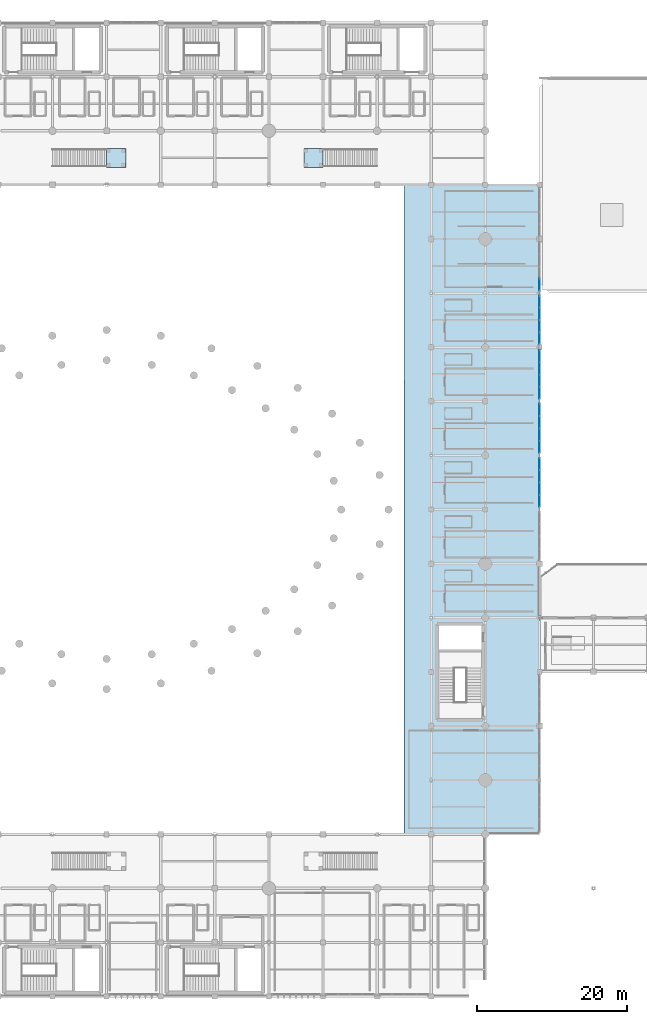
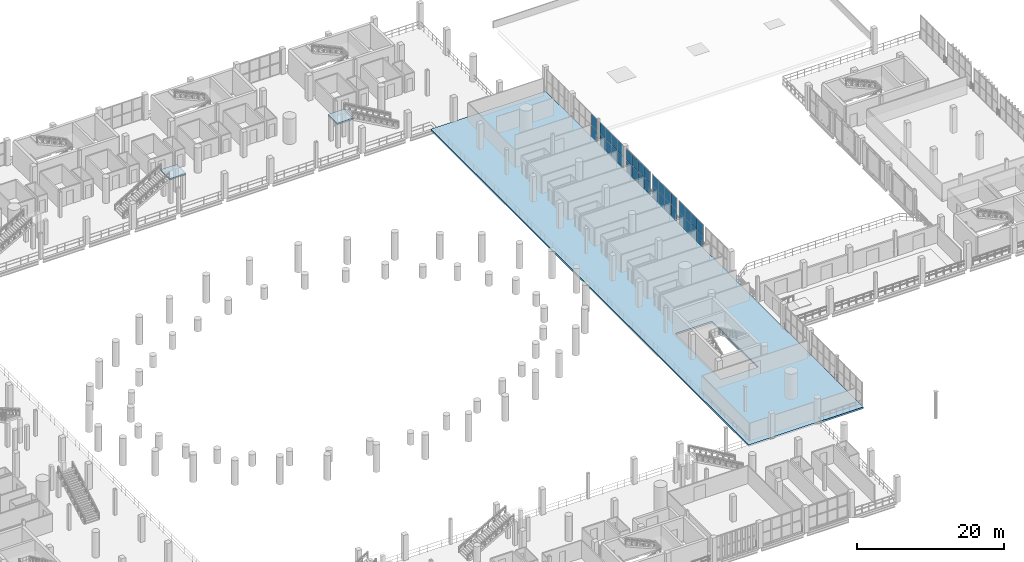
# One storey, part 94 of 130: 34 plates, 3 slabs, 7 elements without a shape of their own.
"""IFC4 building model written with IfcOpenShell, lengths in metres."""

from ifc_helpers import new_model, si_unit, direction, frame, origin, origin_2d, place, context, subcontext, project, spatial, polyline, rectangle, outline, extrude, material, layer, layer_set, type_object, element, aggregate, save


model = new_model("IFC4")

# Units and contexts
model_context = context("Model", 3, precision=1e-05, world=origin(), true_north=direction((0.0, 1.0)))
body_context = subcontext(model_context, "Body", "Model", "MODEL_VIEW")
ifc_project = project(units=[si_unit("LENGTHUNIT", "METRE"), si_unit("AREAUNIT", "SQUARE_METRE"), si_unit("VOLUMEUNIT", "CUBIC_METRE"), si_unit("PLANEANGLEUNIT", "RADIAN"), si_unit("MASSUNIT", "GRAM", prefix="KILO")], contexts=[model_context])

# Site, building, storey
site_placement = place(None, origin())
site = spatial("IfcSite", under=ifc_project, at=site_placement, CompositionType="ELEMENT")
building_placement = place(site_placement, origin())
building = spatial("IfcBuilding", under=site, at=building_placement, Name="Qandorah Velis Arena", CompositionType="ELEMENT")
storey_placement = place(building_placement, frame((0.0, 0.0, 9.60009765625)))
storey = spatial("IfcBuildingStorey", under=building, at=storey_placement, Name="L02", CompositionType="ELEMENT", Elevation=9.60009765625)

# Curtain wall, plates
ifc_material_1 = material(Name="Solar-control low-E double glazing", Category="glass")
curtain_wall_type_1 = type_object("IfcCurtainWallType", Name="ARC-CW-SYS06", PredefinedType="USERDEFINED", material=ifc_material_1)
curtain_wall_1_placement = place(storey_placement, origin())
curtain_wall_1 = element("IfcCurtainWall", 1, at=curtain_wall_1_placement, inside=storey, type_object=curtain_wall_type_1, Name="Unitised curtain wall L02-174", ObjectType="UNITISED CURTAIN WALL", PredefinedType="USERDEFINED")
ifc_layer_1 = layer(ifc_material_1, 0.02392578125)
ifc_layer_set_1 = layer_set([ifc_layer_1], Name="Solar-control low-E double glazing")
plate_type_1 = type_object("IfcPlateType", Name="ARC-CWP-GLZ24", PredefinedType="CURTAIN_PANEL", material=ifc_layer_set_1)
plate_1_placement = place(storey_placement, frame((122.39990234375, 94.728759765625, 0.0546875), z_axis=(0.0, 0.0, 1.0), x_axis=(0.0, 1.0, 0.0)))
plate_1 = element("IfcPlate", 2, at=plate_1_placement, type_object=plate_type_1, Name="CW06 panel 1.1", PredefinedType="CURTAIN_PANEL", context=body_context, shape_type="SweptSolid", body=[
    extrude(rectangle(XDim=1.547607421875, YDim=0.02392578125, at=origin_2d()), origin(), (0.0, 0.0, 1.0), 1.862548828125),
])
plate_2_placement = place(storey_placement, frame((122.39990234375, 94.728759765625, 1.96240234375), z_axis=(0.0, 0.0, 1.0), x_axis=(0.0, 1.0, 0.0)))
plate_2 = element("IfcPlate", 3, at=plate_2_placement, type_object=plate_type_1, Name="CW06 panel 1.2", PredefinedType="CURTAIN_PANEL", context=body_context, shape_type="SweptSolid", body=[
    extrude(rectangle(XDim=1.547607421875, YDim=0.02392578125, at=origin_2d()), origin(), (0.0, 0.0, 1.0), 1.862548828125),
])
aggregate(curtain_wall_1, [plate_1, plate_2])

curtain_wall_type_2 = type_object("IfcCurtainWallType", Name="ARC-CW-SYS05", PredefinedType="USERDEFINED", material=ifc_material_1)
curtain_wall_2_placement = place(storey_placement, origin())
curtain_wall_2 = element("IfcCurtainWall", 4, at=curtain_wall_2_placement, inside=storey, type_object=curtain_wall_type_2, Name="Unitised curtain wall L02-173", ObjectType="UNITISED CURTAIN WALL", PredefinedType="USERDEFINED")
ifc_layer_2 = layer(ifc_material_1, 0.028076171875)
ifc_layer_set_2 = layer_set([ifc_layer_2], Name="Solar-control low-E double glazing")
plate_type_2 = type_object("IfcPlateType", Name="ARC-CWP-GLZ28", PredefinedType="CURTAIN_PANEL", material=ifc_layer_set_2)
plate_3_placement = place(storey_placement, frame((122.39990234375, 87.609375, 0.06494140625), z_axis=(0.0, 0.0, 1.0), x_axis=(0.0, 1.0, 0.0)))
plate_3 = element("IfcPlate", 5, at=plate_3_placement, type_object=plate_type_2, Name="CW05 panel 1.1", PredefinedType="CURTAIN_PANEL", context=body_context, shape_type="SweptSolid", body=[
    extrude(rectangle(XDim=1.538818359375, YDim=0.028076171875, at=origin_2d()), origin(), (0.0, 0.0, 1.0), 1.847412109375),
])
plate_4_placement = place(storey_placement, frame((122.39990234375, 87.609375, 1.96728515625), z_axis=(0.0, 0.0, 1.0), x_axis=(0.0, 1.0, 0.0)))
plate_4 = element("IfcPlate", 6, at=plate_4_placement, type_object=plate_type_2, Name="CW05 panel 1.2", PredefinedType="CURTAIN_PANEL", context=body_context, shape_type="SweptSolid", body=[
    extrude(rectangle(XDim=1.538818359375, YDim=0.028076171875, at=origin_2d()), origin(), (0.0, 0.0, 1.0), 1.847412109375),
])
plate_5_placement = place(storey_placement, frame((122.39990234375, 89.221923828125, 0.06494140625), z_axis=(0.0, 0.0, 1.0), x_axis=(0.0, 1.0, 0.0)))
plate_5 = element("IfcPlate", 7, at=plate_5_placement, type_object=plate_type_2, Name="CW05 panel 2.1", PredefinedType="CURTAIN_PANEL", context=body_context, shape_type="SweptSolid", body=[
    extrude(rectangle(XDim=1.576171875, YDim=0.028076171875, at=origin_2d()), origin(), (0.0, 0.0, 1.0), 1.847412109375),
])
plate_6_placement = place(storey_placement, frame((122.39990234375, 89.221923828125, 1.96728515625), z_axis=(0.0, 0.0, 1.0), x_axis=(0.0, 1.0, 0.0)))
plate_6 = element("IfcPlate", 8, at=plate_6_placement, type_object=plate_type_2, Name="CW05 panel 2.2", PredefinedType="CURTAIN_PANEL", context=body_context, shape_type="SweptSolid", body=[
    extrude(rectangle(XDim=1.576171875, YDim=0.028076171875, at=origin_2d()), origin(), (0.0, 0.0, 1.0), 1.847412109375),
])
plate_7_placement = place(storey_placement, frame((122.39990234375, 90.85302734375, 0.06494140625), z_axis=(0.0, 0.0, 1.0), x_axis=(0.0, 1.0, 0.0)))
plate_7 = element("IfcPlate", 9, at=plate_7_placement, type_object=plate_type_2, Name="CW05 panel 3.1", PredefinedType="CURTAIN_PANEL", context=body_context, shape_type="SweptSolid", body=[
    extrude(rectangle(XDim=1.576171875, YDim=0.028076171875, at=origin_2d()), origin(), (0.0, 0.0, 1.0), 1.847412109375),
])
plate_8_placement = place(storey_placement, frame((122.39990234375, 90.85302734375, 1.96728515625), z_axis=(0.0, 0.0, 1.0), x_axis=(0.0, 1.0, 0.0)))
plate_8 = element("IfcPlate", 10, at=plate_8_placement, type_object=plate_type_2, Name="CW05 panel 3.2", PredefinedType="CURTAIN_PANEL", context=body_context, shape_type="SweptSolid", body=[
    extrude(rectangle(XDim=1.576171875, YDim=0.028076171875, at=origin_2d()), origin(), (0.0, 0.0, 1.0), 1.847412109375),
])
plate_9_placement = place(storey_placement, frame((122.39990234375, 92.465576171875, 0.06494140625), z_axis=(0.0, 0.0, 1.0), x_axis=(0.0, 1.0, 0.0)))
plate_9 = element("IfcPlate", 11, at=plate_9_placement, type_object=plate_type_2, Name="CW05 panel 4.1", PredefinedType="CURTAIN_PANEL", context=body_context, shape_type="SweptSolid", body=[
    extrude(rectangle(XDim=1.538818359375, YDim=0.028076171875, at=origin_2d()), origin(), (0.0, 0.0, 1.0), 1.847412109375),
])
plate_10_placement = place(storey_placement, frame((122.39990234375, 92.465576171875, 1.96728515625), z_axis=(0.0, 0.0, 1.0), x_axis=(0.0, 1.0, 0.0)))
plate_10 = element("IfcPlate", 12, at=plate_10_placement, type_object=plate_type_2, Name="CW05 panel 4.2", PredefinedType="CURTAIN_PANEL", context=body_context, shape_type="SweptSolid", body=[
    extrude(rectangle(XDim=1.538818359375, YDim=0.028076171875, at=origin_2d()), origin(), (0.0, 0.0, 1.0), 1.847412109375),
])
aggregate(curtain_wall_2, [plate_3, plate_4, plate_5, plate_6, plate_7, plate_8, plate_9, plate_10])

curtain_wall_type_3 = type_object("IfcCurtainWallType", Name="ARC-CW-SYS16", PredefinedType="USERDEFINED", material=ifc_material_1)
curtain_wall_3_placement = place(storey_placement, origin())
curtain_wall_3 = element("IfcCurtainWall", 13, at=curtain_wall_3_placement, inside=storey, type_object=curtain_wall_type_3, Name="Unitised curtain wall L02-112", ObjectType="UNITISED CURTAIN WALL", PredefinedType="USERDEFINED")
ifc_layer_3 = layer(ifc_material_1, 0.030029296875)
ifc_layer_set_3 = layer_set([ifc_layer_3], Name="Solar-control low-E double glazing")
plate_type_3 = type_object("IfcPlateType", Name="ARC-CWP-GLZ30", PredefinedType="CURTAIN_PANEL", material=ifc_layer_set_3)
plate_11_placement = place(storey_placement, frame((122.39990234375, 80.329345703125, 0.044921875), z_axis=(0.0, 0.0, 1.0), x_axis=(0.0, 1.0, 0.0)))
plate_11 = element("IfcPlate", 14, at=plate_11_placement, type_object=plate_type_3, Name="CW16 panel 1.1", PredefinedType="CURTAIN_PANEL", context=body_context, shape_type="SweptSolid", body=[
    extrude(rectangle(XDim=1.56884765625, YDim=0.030029296875, at=origin_2d()), origin(), (0.0, 0.0, 1.0), 1.87744140625),
])
plate_12_placement = place(storey_placement, frame((122.39990234375, 80.329345703125, 1.95751953125), z_axis=(0.0, 0.0, 1.0), x_axis=(0.0, 1.0, 0.0)))
plate_12 = element("IfcPlate", 15, at=plate_12_placement, type_object=plate_type_3, Name="CW16 panel 1.2", PredefinedType="CURTAIN_PANEL", context=body_context, shape_type="SweptSolid", body=[
    extrude(rectangle(XDim=1.56884765625, YDim=0.030029296875, at=origin_2d()), origin(), (0.0, 0.0, 1.0), 1.87744140625),
])
plate_13_placement = place(storey_placement, frame((122.39990234375, 81.94677734375, 0.044921875), z_axis=(0.0, 0.0, 1.0), x_axis=(0.0, 1.0, 0.0)))
plate_13 = element("IfcPlate", 16, at=plate_13_placement, type_object=plate_type_3, Name="CW16 panel 2.1", PredefinedType="CURTAIN_PANEL", context=body_context, shape_type="SweptSolid", body=[
    extrude(rectangle(XDim=1.59619140625, YDim=0.030029296875, at=origin_2d()), origin(), (0.0, 0.0, 1.0), 1.87744140625),
])
plate_14_placement = place(storey_placement, frame((122.39990234375, 81.94677734375, 1.95751953125), z_axis=(0.0, 0.0, 1.0), x_axis=(0.0, 1.0, 0.0)))
plate_14 = element("IfcPlate", 17, at=plate_14_placement, type_object=plate_type_3, Name="CW16 panel 2.2", PredefinedType="CURTAIN_PANEL", context=body_context, shape_type="SweptSolid", body=[
    extrude(rectangle(XDim=1.59619140625, YDim=0.030029296875, at=origin_2d()), origin(), (0.0, 0.0, 1.0), 1.87744140625),
])
plate_15_placement = place(storey_placement, frame((122.39990234375, 83.578125, 0.044921875), z_axis=(0.0, 0.0, 1.0), x_axis=(0.0, 1.0, 0.0)))
plate_15 = element("IfcPlate", 18, at=plate_15_placement, type_object=plate_type_3, Name="CW16 panel 3.1", PredefinedType="CURTAIN_PANEL", context=body_context, shape_type="SweptSolid", body=[
    extrude(rectangle(XDim=1.59619140625, YDim=0.030029296875, at=origin_2d()), origin(), (0.0, 0.0, 1.0), 1.87744140625),
])
plate_16_placement = place(storey_placement, frame((122.39990234375, 83.578125, 1.95751953125), z_axis=(0.0, 0.0, 1.0), x_axis=(0.0, 1.0, 0.0)))
plate_16 = element("IfcPlate", 19, at=plate_16_placement, type_object=plate_type_3, Name="CW16 panel 3.2", PredefinedType="CURTAIN_PANEL", context=body_context, shape_type="SweptSolid", body=[
    extrude(rectangle(XDim=1.59619140625, YDim=0.030029296875, at=origin_2d()), origin(), (0.0, 0.0, 1.0), 1.87744140625),
])
plate_17_placement = place(storey_placement, frame((122.39990234375, 85.195556640625, 0.044921875), z_axis=(0.0, 0.0, 1.0), x_axis=(0.0, 1.0, 0.0)))
plate_17 = element("IfcPlate", 20, at=plate_17_placement, type_object=plate_type_3, Name="CW16 panel 4.1", PredefinedType="CURTAIN_PANEL", context=body_context, shape_type="SweptSolid", body=[
    extrude(rectangle(XDim=1.56884765625, YDim=0.030029296875, at=origin_2d()), origin(), (0.0, 0.0, 1.0), 1.87744140625),
])
plate_18_placement = place(storey_placement, frame((122.39990234375, 85.195556640625, 1.95751953125), z_axis=(0.0, 0.0, 1.0), x_axis=(0.0, 1.0, 0.0)))
plate_18 = element("IfcPlate", 21, at=plate_18_placement, type_object=plate_type_3, Name="CW16 panel 4.2", PredefinedType="CURTAIN_PANEL", context=body_context, shape_type="SweptSolid", body=[
    extrude(rectangle(XDim=1.56884765625, YDim=0.030029296875, at=origin_2d()), origin(), (0.0, 0.0, 1.0), 1.87744140625),
])
aggregate(curtain_wall_3, [plate_11, plate_12, plate_13, plate_14, plate_15, plate_16, plate_17, plate_18])

curtain_wall_type_4 = type_object("IfcCurtainWallType", Name="ARC-CW-SYS15", PredefinedType="USERDEFINED", material=ifc_material_1)
curtain_wall_4_placement = place(storey_placement, origin())
curtain_wall_4 = element("IfcCurtainWall", 22, at=curtain_wall_4_placement, inside=storey, type_object=curtain_wall_type_4, Name="Unitised curtain wall L02-111", ObjectType="UNITISED CURTAIN WALL", PredefinedType="USERDEFINED")
ifc_layer_4 = layer(ifc_material_1, 0.035888671875)
ifc_layer_set_4 = layer_set([ifc_layer_4], Name="Solar-control low-E double glazing")
plate_type_4 = type_object("IfcPlateType", Name="ARC-CWP-GLZ36", PredefinedType="CURTAIN_PANEL", material=ifc_layer_set_4)
plate_19_placement = place(storey_placement, frame((122.39990234375, 73.139892578125, 0.0498046875), z_axis=(0.0, 0.0, 1.0), x_axis=(0.0, 1.0, 0.0)))
plate_19 = element("IfcPlate", 23, at=plate_19_placement, type_object=plate_type_4, Name="CW15 panel 1.1", PredefinedType="CURTAIN_PANEL", context=body_context, shape_type="SweptSolid", body=[
    extrude(rectangle(XDim=1.580078125, YDim=0.035888671875, at=origin_2d()), origin(), (0.0, 0.0, 1.0), 1.8701171875),
])
plate_20_placement = place(storey_placement, frame((122.39990234375, 73.139892578125, 1.9599609375), z_axis=(0.0, 0.0, 1.0), x_axis=(0.0, 1.0, 0.0)))
plate_20 = element("IfcPlate", 24, at=plate_20_placement, type_object=plate_type_4, Name="CW15 panel 1.2", PredefinedType="CURTAIN_PANEL", context=body_context, shape_type="SweptSolid", body=[
    extrude(rectangle(XDim=1.580078125, YDim=0.035888671875, at=origin_2d()), origin(), (0.0, 0.0, 1.0), 1.8701171875),
])
plate_21_placement = place(storey_placement, frame((122.39990234375, 74.77490234375, 0.0498046875), z_axis=(0.0, 0.0, 1.0), x_axis=(0.0, 1.0, 0.0)))
plate_21 = element("IfcPlate", 25, at=plate_21_placement, type_object=plate_type_4, Name="CW15 panel 2.1", PredefinedType="CURTAIN_PANEL", context=body_context, shape_type="SweptSolid", body=[
    extrude(rectangle(XDim=1.610107421875, YDim=0.035888671875, at=origin_2d()), origin(), (0.0, 0.0, 1.0), 1.8701171875),
])
plate_22_placement = place(storey_placement, frame((122.39990234375, 74.77490234375, 1.9599609375), z_axis=(0.0, 0.0, 1.0), x_axis=(0.0, 1.0, 0.0)))
plate_22 = element("IfcPlate", 26, at=plate_22_placement, type_object=plate_type_4, Name="CW15 panel 2.2", PredefinedType="CURTAIN_PANEL", context=body_context, shape_type="SweptSolid", body=[
    extrude(rectangle(XDim=1.610107421875, YDim=0.035888671875, at=origin_2d()), origin(), (0.0, 0.0, 1.0), 1.8701171875),
])
plate_23_placement = place(storey_placement, frame((122.39990234375, 76.425048828125, 0.0498046875), z_axis=(0.0, 0.0, 1.0), x_axis=(0.0, 1.0, 0.0)))
plate_23 = element("IfcPlate", 27, at=plate_23_placement, type_object=plate_type_4, Name="CW15 panel 3.1", PredefinedType="CURTAIN_PANEL", context=body_context, shape_type="SweptSolid", body=[
    extrude(rectangle(XDim=1.610107421875, YDim=0.035888671875, at=origin_2d()), origin(), (0.0, 0.0, 1.0), 1.8701171875),
])
plate_24_placement = place(storey_placement, frame((122.39990234375, 76.425048828125, 1.9599609375), z_axis=(0.0, 0.0, 1.0), x_axis=(0.0, 1.0, 0.0)))
plate_24 = element("IfcPlate", 28, at=plate_24_placement, type_object=plate_type_4, Name="CW15 panel 3.2", PredefinedType="CURTAIN_PANEL", context=body_context, shape_type="SweptSolid", body=[
    extrude(rectangle(XDim=1.610107421875, YDim=0.035888671875, at=origin_2d()), origin(), (0.0, 0.0, 1.0), 1.8701171875),
])
plate_25_placement = place(storey_placement, frame((122.39990234375, 78.06005859375, 0.0498046875), z_axis=(0.0, 0.0, 1.0), x_axis=(0.0, 1.0, 0.0)))
plate_25 = element("IfcPlate", 29, at=plate_25_placement, type_object=plate_type_4, Name="CW15 panel 4.1", PredefinedType="CURTAIN_PANEL", context=body_context, shape_type="SweptSolid", body=[
    extrude(rectangle(XDim=1.580078125, YDim=0.035888671875, at=origin_2d()), origin(), (0.0, 0.0, 1.0), 1.8701171875),
])
plate_26_placement = place(storey_placement, frame((122.39990234375, 78.06005859375, 1.9599609375), z_axis=(0.0, 0.0, 1.0), x_axis=(0.0, 1.0, 0.0)))
plate_26 = element("IfcPlate", 30, at=plate_26_placement, type_object=plate_type_4, Name="CW15 panel 4.2", PredefinedType="CURTAIN_PANEL", context=body_context, shape_type="SweptSolid", body=[
    extrude(rectangle(XDim=1.580078125, YDim=0.035888671875, at=origin_2d()), origin(), (0.0, 0.0, 1.0), 1.8701171875),
])
aggregate(curtain_wall_4, [plate_19, plate_20, plate_21, plate_22, plate_23, plate_24, plate_25, plate_26])

curtain_wall_type_5 = type_object("IfcCurtainWallType", Name="ARC-CW-SYS14", PredefinedType="USERDEFINED", material=ifc_material_1)
curtain_wall_5_placement = place(storey_placement, origin())
curtain_wall_5 = element("IfcCurtainWall", 31, at=curtain_wall_5_placement, inside=storey, type_object=curtain_wall_type_5, Name="Unitised curtain wall L02-110", ObjectType="UNITISED CURTAIN WALL", PredefinedType="USERDEFINED")
ifc_layer_5 = layer(ifc_material_1, 0.0439453125)
ifc_layer_set_5 = layer_set([ifc_layer_5], Name="Solar-control low-E double glazing")
plate_type_5 = type_object("IfcPlateType", Name="ARC-CWP-SPN44", PredefinedType="CURTAIN_PANEL", material=ifc_layer_set_5)
plate_27_placement = place(storey_placement, frame((122.39990234375, 65.941162109375, 0.0546875), z_axis=(0.0, 0.0, 1.0), x_axis=(0.0, 1.0, 0.0)))
plate_27 = element("IfcPlate", 32, at=plate_27_placement, type_object=plate_type_5, Name="CW14 panel 1.1", PredefinedType="CURTAIN_PANEL", context=body_context, shape_type="SweptSolid", body=[
    extrude(rectangle(XDim=1.572509765625, YDim=0.0439453125, at=origin_2d()), origin(), (0.0, 0.0, 1.0), 1.862548828125),
])
plate_28_placement = place(storey_placement, frame((122.39990234375, 65.941162109375, 1.96240234375), z_axis=(0.0, 0.0, 1.0), x_axis=(0.0, 1.0, 0.0)))
plate_28 = element("IfcPlate", 33, at=plate_28_placement, type_object=plate_type_5, Name="CW14 panel 1.2", PredefinedType="CURTAIN_PANEL", context=body_context, shape_type="SweptSolid", body=[
    extrude(rectangle(XDim=1.572509765625, YDim=0.0439453125, at=origin_2d()), origin(), (0.0, 0.0, 1.0), 1.862548828125),
])
plate_29_placement = place(storey_placement, frame((122.39990234375, 67.574951171875, 0.0546875), z_axis=(0.0, 0.0, 1.0), x_axis=(0.0, 1.0, 0.0)))
plate_29 = element("IfcPlate", 34, at=plate_29_placement, type_object=plate_type_5, Name="CW14 panel 2.1", PredefinedType="CURTAIN_PANEL", context=body_context, shape_type="SweptSolid", body=[
    extrude(rectangle(XDim=1.60498046875, YDim=0.0439453125, at=origin_2d()), origin(), (0.0, 0.0, 1.0), 1.862548828125),
])
plate_30_placement = place(storey_placement, frame((122.39990234375, 67.574951171875, 1.96240234375), z_axis=(0.0, 0.0, 1.0), x_axis=(0.0, 1.0, 0.0)))
plate_30 = element("IfcPlate", 35, at=plate_30_placement, type_object=plate_type_5, Name="CW14 panel 2.2", PredefinedType="CURTAIN_PANEL", context=body_context, shape_type="SweptSolid", body=[
    extrude(rectangle(XDim=1.60498046875, YDim=0.0439453125, at=origin_2d()), origin(), (0.0, 0.0, 1.0), 1.862548828125),
])
plate_31_placement = place(storey_placement, frame((122.39990234375, 69.22509765625, 0.0546875), z_axis=(0.0, 0.0, 1.0), x_axis=(0.0, 1.0, 0.0)))
plate_31 = element("IfcPlate", 36, at=plate_31_placement, type_object=plate_type_5, Name="CW14 panel 3.1", PredefinedType="CURTAIN_PANEL", context=body_context, shape_type="SweptSolid", body=[
    extrude(rectangle(XDim=1.60498046875, YDim=0.0439453125, at=origin_2d()), origin(), (0.0, 0.0, 1.0), 1.862548828125),
])
plate_32_placement = place(storey_placement, frame((122.39990234375, 69.22509765625, 1.96240234375), z_axis=(0.0, 0.0, 1.0), x_axis=(0.0, 1.0, 0.0)))
plate_32 = element("IfcPlate", 37, at=plate_32_placement, type_object=plate_type_5, Name="CW14 panel 3.2", PredefinedType="CURTAIN_PANEL", context=body_context, shape_type="SweptSolid", body=[
    extrude(rectangle(XDim=1.60498046875, YDim=0.0439453125, at=origin_2d()), origin(), (0.0, 0.0, 1.0), 1.862548828125),
])
plate_33_placement = place(storey_placement, frame((122.39990234375, 70.858642578125, 0.0546875), z_axis=(0.0, 0.0, 1.0), x_axis=(0.0, 1.0, 0.0)))
plate_33 = element("IfcPlate", 38, at=plate_33_placement, type_object=plate_type_5, Name="CW14 panel 4.1", PredefinedType="CURTAIN_PANEL", context=body_context, shape_type="SweptSolid", body=[
    extrude(rectangle(XDim=1.572509765625, YDim=0.0439453125, at=origin_2d()), origin(), (0.0, 0.0, 1.0), 1.862548828125),
])
plate_34_placement = place(storey_placement, frame((122.39990234375, 70.858642578125, 1.96240234375), z_axis=(0.0, 0.0, 1.0), x_axis=(0.0, 1.0, 0.0)))
plate_34 = element("IfcPlate", 39, at=plate_34_placement, type_object=plate_type_5, Name="CW14 panel 4.2", PredefinedType="CURTAIN_PANEL", context=body_context, shape_type="SweptSolid", body=[
    extrude(rectangle(XDim=1.572509765625, YDim=0.0439453125, at=origin_2d()), origin(), (0.0, 0.0, 1.0), 1.862548828125),
])
aggregate(curtain_wall_5, [plate_27, plate_28, plate_29, plate_30, plate_31, plate_32, plate_33, plate_34])

# Slab
ifc_material_2 = material(Name="Concrete C40/50", Category="concrete")
ifc_layer_6 = layer(ifc_material_2, 0.280029296875)
ifc_layer_set_6 = layer_set([ifc_layer_6], Name="Concrete C40/50")
slab_type_1 = type_object("IfcSlabType", Name="STR-SLB-FL280", PredefinedType="FLOOR", material=ifc_layer_set_6)
slab_1_placement = place(storey_placement, frame((0.0, 0.0, -0.280029296875)))
element("IfcSlab", 40, at=slab_1_placement, inside=storey, type_object=slab_type_1, Name="Structural floor slab L02_EAST_DINING", PredefinedType="FLOOR", context=body_context, shape_type="SweptSolid", body=[
    extrude(outline(polyline([(104.39990234375, 108.0), (122.39990234375, 108.0), (122.39990234375, 21.60009765625), (104.39990234375, 21.60009765625), (104.39990234375, 108.0)]), holes=[polyline([(108.945068359375, 36.945068359375), (114.7548828125, 36.945068359375), (114.7548828125, 36.945068359375), (114.7548828125, 49.455078125), (108.945068359375, 49.455078125), (108.945068359375, 39.155029296875), (108.945068359375, 36.945068359375)])]), origin(), (0.0, 0.0, 1.0), 0.280029296875),
])

# Stair, slab
stair_type = type_object("IfcStairType", Name="ARC-ST-VOM2400", PredefinedType="STRAIGHT_RUN_STAIR", material=ifc_material_2)
stair_1_placement = place(storey_placement, origin())
stair_1 = element("IfcStair", 41, at=stair_1_placement, inside=storey, type_object=stair_type, Name="Spectator vomitory stair VS13 (L02)", PredefinedType="STRAIGHT_RUN_STAIR")
ifc_layer_7 = layer(ifc_material_2, 0.219970703125)
ifc_layer_set_7 = layer_set([ifc_layer_7], Name="Concrete C40/50")
slab_type_2 = type_object("IfcSlabType", Name="STR-SLB-LND220", PredefinedType="LANDING", material=ifc_layer_set_7)
slab_2_placement = place(storey_placement, frame((0.0, 0.0, 3.9599609375)))
slab_2 = element("IfcSlab", 42, at=slab_2_placement, type_object=slab_type_2, Name="VS13 landing 1", PredefinedType="LANDING", context=body_context, shape_type="SweptSolid", body=[
    extrude(outline(polyline([(64.800048828125, 110.35009765625), (67.35009765625, 110.35009765625), (67.35009765625, 112.85009765625), (64.800048828125, 112.85009765625), (64.800048828125, 110.35009765625)])), origin(), (0.0, 0.0, 1.0), 0.239990234375),
])
aggregate(stair_1, [slab_2])

stair_2_placement = place(storey_placement, origin())
stair_2 = element("IfcStair", 43, at=stair_2_placement, inside=storey, type_object=stair_type, Name="Spectator vomitory stair VS14 (L02)", PredefinedType="STRAIGHT_RUN_STAIR")
slab_3_placement = place(storey_placement, frame((0.0, 0.0, 3.9599609375)))
slab_3 = element("IfcSlab", 44, at=slab_3_placement, type_object=slab_type_2, Name="VS14 landing 1", PredefinedType="LANDING", context=body_context, shape_type="SweptSolid", body=[
    extrude(outline(polyline([(91.050048828125, 110.35009765625), (93.60009765625, 110.35009765625), (93.60009765625, 112.85009765625), (91.050048828125, 112.85009765625), (91.050048828125, 110.35009765625)])), origin(), (0.0, 0.0, 1.0), 0.239990234375),
])
aggregate(stair_2, [slab_3])

save(model, "model.ifc")
